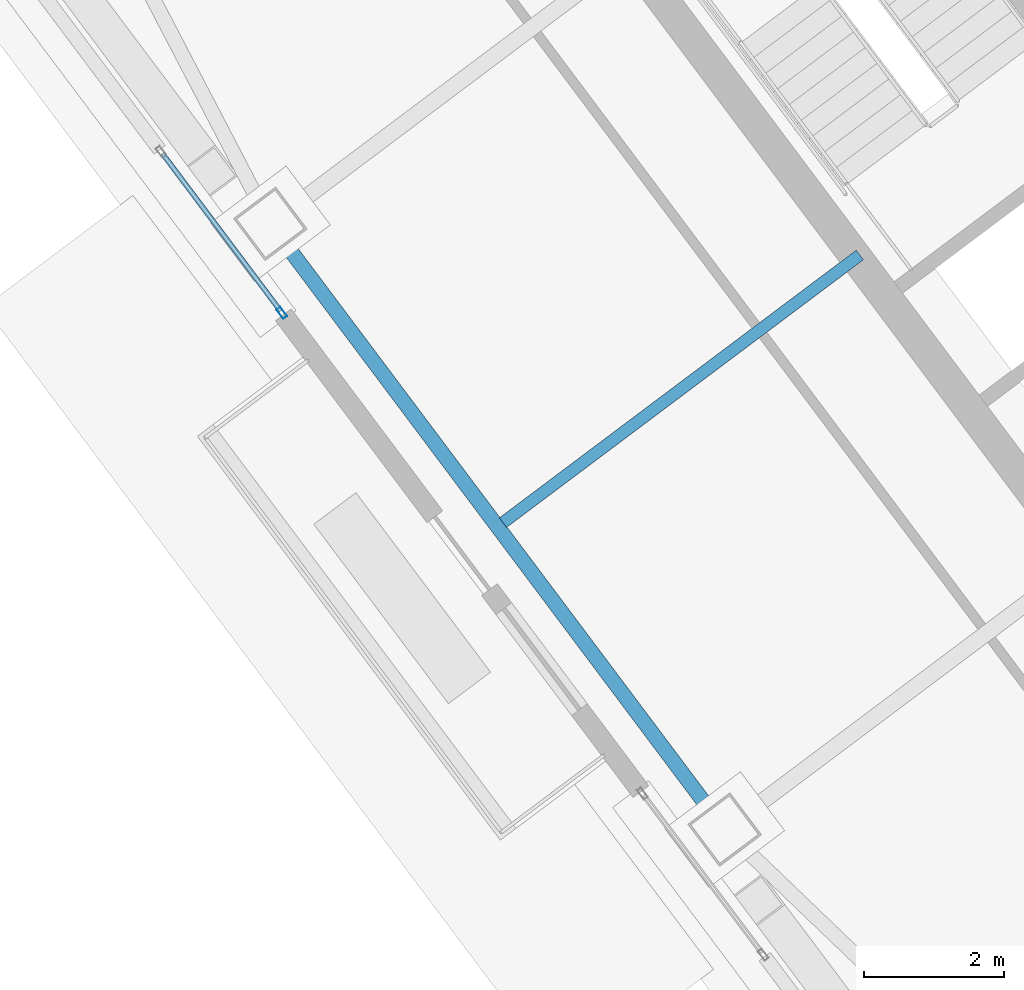
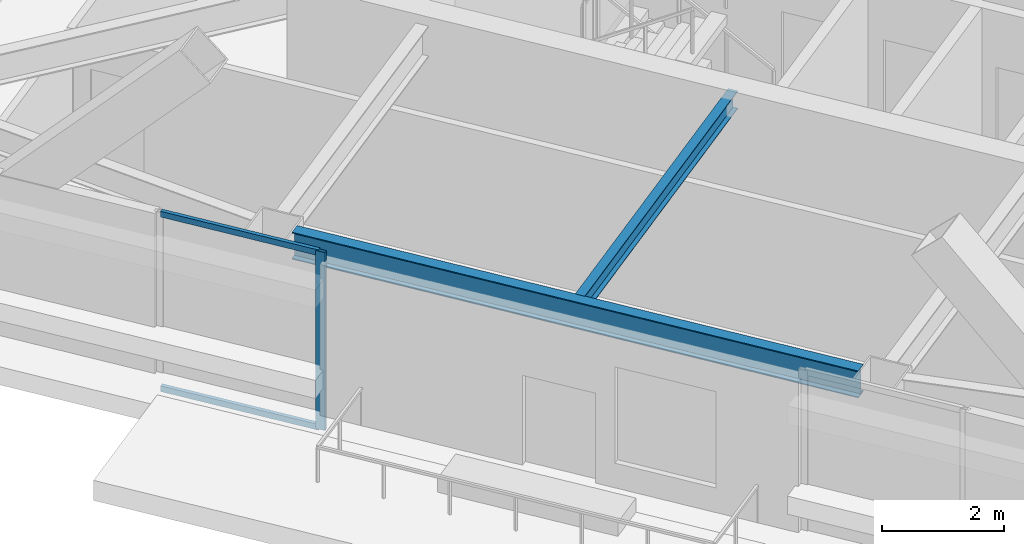
# One storey, part 16 of 39: 3 members, 2 beams, 1 element without a shape of its own.
"""IFC4 building model written with IfcOpenShell, lengths in metres."""

import ifcopenshell
import ifcopenshell.guid

model = None  # the IFC model being written
_history = None  # IfcOwnerHistory: only IFC2X3 demands one
_inside = {}  # id of a spatial element -> (the spatial element, [elements in it])
_under = {}  # id of a project, library or spatial element -> (it, [spatial elements below it])
_declared = {}  # id of a project -> (the project, [libraries it declares])
_typed = {}  # id of a type object -> (the type object, [elements of that type])
_made_of = {}  # id of a material, layer set ... -> (it, [elements and type objects made of it])


def new_model(schema):
    """Start an empty IFC model of exactly this schema.

    Asked for "IFC4X3", IfcOpenShell would pick the latest addendum, in which some entities
    have other attributes; the version numbers below select the first issue.
    IFC2X3 requires an IfcOwnerHistory on every rooted entity: one is made here for all.
    """
    global model, _history
    if schema == "IFC4X3":
        model = ifcopenshell.file(schema_version=(4, 3, 0, 0))
    else:
        model = ifcopenshell.file(schema=schema)
    _inside.clear()
    _under.clear()
    _declared.clear()
    _typed.clear()
    _made_of.clear()
    _history = None
    if model.schema == "IFC2X3":
        org = make("IfcOrganization", Name="unknown")
        user = make(
            "IfcPersonAndOrganization",
            ThePerson=make("IfcPerson", FamilyName="unknown"),
            TheOrganization=org,
        )
        app = make(
            "IfcApplication",
            ApplicationDeveloper=org,
            Version="unknown",
            ApplicationFullName="unknown",
            ApplicationIdentifier="unknown",
        )
        _history = make(
            "IfcOwnerHistory",
            OwningUser=user,
            OwningApplication=app,
            ChangeAction="ADDED",
            CreationDate=0,
        )
    return model


def make(cls, **values):
    """One entity of the class cls with the attributes given. An attribute that is None is left unset."""
    return model.create_entity(
        cls, **{name: value for name, value in values.items() if value is not None}
    )


def rooted(cls, **values):
    """An entity with a GlobalId (a new one), such as an element, a storey or a relation."""
    return make(cls, GlobalId=ifcopenshell.guid.new(), OwnerHistory=_history, **values)


def si_unit(unit_type, name, prefix=None):
    """IfcSIUnit, for example si_unit("LENGTHUNIT", "METRE", prefix="MILLI")."""
    return make("IfcSIUnit", UnitType=unit_type, Prefix=prefix, Name=name)


def assignment(units):
    """IfcUnitAssignment: the units of a project."""
    return None if units is None else make("IfcUnitAssignment", Units=units)


def point(xyz):
    """IfcCartesianPoint."""
    return None if xyz is None else make("IfcCartesianPoint", Coordinates=xyz)


def direction(xyz):
    """IfcDirection."""
    return None if xyz is None else make("IfcDirection", DirectionRatios=xyz)


def frame(location, z_axis=None, x_axis=None):
    """IfcAxis2Placement3D, a coordinate frame: its origin and axes. An axis left out is left unset."""
    return make(
        "IfcAxis2Placement3D",
        Location=point(location),
        Axis=direction(z_axis),
        RefDirection=direction(x_axis),
    )


def frame_2d(location, x_axis=None):
    """IfcAxis2Placement2D, a coordinate frame in the plane: its origin and x axis."""
    return make(
        "IfcAxis2Placement2D", Location=point(location), RefDirection=direction(x_axis)
    )


def origin():
    """The frame at (0, 0, 0) with its axes left unset."""
    return frame((0.0, 0.0, 0.0))


def origin_2d():
    """The frame at (0, 0) in the plane with its x axis left unset."""
    return frame_2d((0.0, 0.0))


def place(relative_to, where):
    """IfcLocalPlacement: puts the frame where relative to a parent placement (None: the world)."""
    return make(
        "IfcLocalPlacement", PlacementRelTo=relative_to, RelativePlacement=where
    )


def context(
    kind, dimensions, precision=None, world=None, true_north=None, identifier=None
):
    """IfcGeometricRepresentationContext, for example the 3D "Model" context."""
    return make(
        "IfcGeometricRepresentationContext",
        ContextIdentifier=identifier,
        ContextType=kind,
        CoordinateSpaceDimension=dimensions,
        Precision=precision,
        WorldCoordinateSystem=world,
        TrueNorth=true_north,
    )


def subcontext(parent, identifier, kind, view, scale=None):
    """IfcGeometricRepresentationSubContext, for example "Body" below "Model"."""
    return make(
        "IfcGeometricRepresentationSubContext",
        ContextIdentifier=identifier,
        ContextType=kind,
        ParentContext=parent,
        TargetScale=scale,
        TargetView=view,
    )


def project(units=None, contexts=None):
    """IfcProject with its units and contexts."""
    return rooted(
        "IfcProject",
        Name="project",
        RepresentationContexts=contexts,
        UnitsInContext=assignment(units),
    )


def spatial(cls, under=None, at=None, **own):
    """A site, building, storey or space (cls), placed at a placement, below another one or the project."""
    s = rooted(cls, ObjectPlacement=at, **own)
    if under is not None:
        _under.setdefault(under.id(), (under, []))[1].append(s)
    return s


def profile(cls, at=None, kind="AREA", **sizes):
    """A parametric profile (cls). Its sizes go by their IFC names, for example OverallWidth=200.0."""
    return make(cls, ProfileType=kind, Position=at, **sizes)


def hollow_rectangle(**sizes):
    """IfcRectangleHollowProfileDef."""
    return profile("IfcRectangleHollowProfileDef", **sizes)


def i_section(**sizes):
    """IfcIShapeProfileDef."""
    return profile("IfcIShapeProfileDef", **sizes)


def extrude(swept, where, along, depth):
    """IfcExtrudedAreaSolid: the profile swept, set in the frame where, extruded along a direction by depth."""
    return make(
        "IfcExtrudedAreaSolid",
        SweptArea=swept,
        Position=where,
        ExtrudedDirection=direction(along),
        Depth=depth,
    )


def shape(context_of_items, identifier, shape_type, items):
    """IfcShapeRepresentation: the items that make up one representation, for example the "Body"."""
    return make(
        "IfcShapeRepresentation",
        ContextOfItems=context_of_items,
        RepresentationIdentifier=identifier,
        RepresentationType=shape_type,
        Items=items,
    )


def material(Name=None, Category=None):
    """IfcMaterial."""
    return make("IfcMaterial", Name=Name, Category=Category)


def material_profile(
    of_material, cross_section, Name=None, Category=None, Priority=None
):
    """IfcMaterialProfile: a cross section and its material."""
    return make(
        "IfcMaterialProfile",
        Name=Name,
        Material=of_material,
        Profile=cross_section,
        Priority=Priority,
        Category=Category,
    )


def profile_set(profiles, Name=None, composite=None):
    """IfcMaterialProfileSet."""
    return make(
        "IfcMaterialProfileSet",
        Name=Name,
        MaterialProfiles=profiles,
        CompositeProfile=composite,
    )


def made_of(thing, what):
    """Note that an element or type object is made of a material, layer set ...; save() writes the relation."""
    if what is not None:
        _made_of.setdefault(what.id(), (what, []))[1].append(thing)
    return thing


def type_object(cls, material=None, **own):
    """A type object (cls), such as IfcWallType, which elements share."""
    return made_of(rooted(cls, **own), material)


def element(
    cls,
    number,
    at=None,
    inside=None,
    cuts=None,
    type_object=None,
    material=None,
    context=None,
    identifier="Body",
    shape_type=None,
    held_by="IfcProductDefinitionShape",
    body=None,
    shapes=None,
    **own,
):
    """One element of the class cls, such as IfcWall. Its Tag is "e" and its number.

    at: its placement. inside: the storey or other place that contains it. cuts: it is an
    opening in that element (IfcRelVoidsElement). A single representation is given by context,
    identifier, shape_type and body (its items); several are given by shapes. held_by: the class
    of the entity that holds the representations. save() writes the other relations.
    """
    e = rooted(cls, Tag="e%d" % number, ObjectPlacement=at, **own)
    if body is not None:
        shapes = [shape(context, identifier, shape_type, body)]
    if shapes is not None:
        e.Representation = make(held_by, Representations=shapes)
    if inside is not None:
        _inside.setdefault(inside.id(), (inside, []))[1].append(e)
    if cuts is not None:
        rooted(
            "IfcRelVoidsElement", RelatingBuildingElement=cuts, RelatedOpeningElement=e
        )
    if type_object is not None:
        _typed.setdefault(type_object.id(), (type_object, []))[1].append(e)
    return made_of(e, material)


def aggregate(whole, parts):
    """IfcRelAggregates: a whole, such as a stair, and the parts it consists of."""
    return rooted("IfcRelAggregates", RelatingObject=whole, RelatedObjects=parts)


def save(model, path):
    """Write the relations noted so far, then the file.

    IfcRelAggregates (storeys below a building ...), IfcRelContainedInSpatialStructure (elements
    in a storey), IfcRelDefinesByType, IfcRelAssociatesMaterial and IfcRelDeclares: one each for
    every whole, place, type object, material and project.
    """
    for whole, parts in _under.values():
        aggregate(whole, parts)
    for where, things in _inside.values():
        rooted(
            "IfcRelContainedInSpatialStructure",
            RelatedElements=things,
            RelatingStructure=where,
        )
    for kind, things in _typed.values():
        rooted("IfcRelDefinesByType", RelatedObjects=things, RelatingType=kind)
    for what, things in _made_of.values():
        rooted("IfcRelAssociatesMaterial", RelatedObjects=things, RelatingMaterial=what)
    for by, libraries in _declared.values():
        rooted("IfcRelDeclares", RelatingContext=by, RelatedDefinitions=libraries)
    model.write(path)


model = new_model("IFC4")

# Units and contexts
model_context = context("Model", 3, precision=1e-05, world=origin(), true_north=direction((0.0, 1.0)))
body_context = subcontext(model_context, "Body", "Model", "MODEL_VIEW")
ifc_project = project(units=[si_unit("LENGTHUNIT", "METRE"), si_unit("AREAUNIT", "SQUARE_METRE"), si_unit("VOLUMEUNIT", "CUBIC_METRE"), si_unit("PLANEANGLEUNIT", "RADIAN"), si_unit("MASSUNIT", "GRAM", prefix="KILO")], contexts=[model_context])

# Site, building, storey
site_placement = place(None, origin())
site = spatial("IfcSite", under=ifc_project, at=site_placement, CompositionType="ELEMENT")
building_placement = place(site_placement, origin())
building = spatial("IfcBuilding", under=site, at=building_placement, Name="Tashvorn Skyway Center", CompositionType="ELEMENT")
storey_placement = place(building_placement, frame((0.0, 0.0, 232.60009765625)))
storey = spatial("IfcBuildingStorey", under=building, at=storey_placement, Name="L63", CompositionType="ELEMENT", Elevation=232.60009765625)

# Beams
ifc_material_1 = material(Name="Steel ASTM A992 Grade 50", Category="steel")
ifc_material_profile_1 = material_profile(ifc_material_1, i_section(OverallWidth=0.1708984375, OverallDepth=0.35498046875, WebThickness=0.007080078125, FlangeThickness=0.01171875, at=origin_2d()), Name="W14X34")
ifc_profile_set_1 = profile_set([ifc_material_profile_1], Name="Steel ASTM A992 Grade 50")
beam_type_1 = type_object("IfcBeamType", Name="BM-JOIST-W14X34", PredefinedType="JOIST", material=ifc_profile_set_1)
beam_1_placement = place(storey_placement, frame((107.76806640625, 27.325927734375, 3.1923828125), z_axis=(-0.800013813639, -0.599981581373, 0.0), x_axis=(0.599981581373, -0.800013813639, 0.0)))
element("IfcBeam", 1, at=beam_1_placement, inside=storey, type_object=beam_type_1, Name="Tower 2 L63 Secondary Composite Joist JW", PredefinedType="JOIST", context=body_context, shape_type="SweptSolid", body=[
    extrude(i_section(OverallWidth=0.1708984375, OverallDepth=0.35498046875, WebThickness=0.007080078125, FlangeThickness=0.01171875, at=origin_2d()), origin(), (0.0, 0.0, 1.0), 6.362548828125),
])
ifc_material_profile_2 = material_profile(ifc_material_1, i_section(OverallWidth=0.2109375, OverallDepth=0.5390625, WebThickness=0.01171875, FlangeThickness=0.018798828125, at=origin_2d()), Name="W21X73")
ifc_profile_set_2 = profile_set([ifc_material_profile_2], Name="Steel ASTM A992 Grade 50")
beam_type_2 = type_object("IfcBeamType", Name="BM-SPANDREL-W21X73", PredefinedType="SPANDREL", material=ifc_profile_set_2)
beam_2_placement = place(storey_placement, frame((99.58203125, 27.47412109375, 3.100341796875), z_axis=(0.599988351091, -0.800008736549, 0.0), x_axis=(0.800008736549, 0.599988351091, 0.0)))
element("IfcBeam", 2, at=beam_2_placement, inside=storey, type_object=beam_type_2, Name="Tower 2 L63 Spandrel Beam 11", PredefinedType="SPANDREL", context=body_context, shape_type="SweptSolid", body=[
    extrude(i_section(OverallWidth=0.2109375, OverallDepth=0.5390625, WebThickness=0.01171875, FlangeThickness=0.018798828125, at=origin_2d()), origin(), (0.0, 0.0, 1.0), 10.06005859375),
])

# Curtain wall, members
ifc_material_2 = material(Name="Thermally broken bronze-anodized aluminium 6063-T6", Category="aluminium")
curtain_wall_type = type_object("IfcCurtainWallType", Name="CW-CW-Z5", PredefinedType="NOTDEFINED", material=ifc_material_2)
curtain_wall_placement = place(storey_placement, origin())
curtain_wall = element("IfcCurtainWall", 3, at=curtain_wall_placement, inside=storey, type_object=curtain_wall_type, Name="Tower 2 L63 West Curtain Wall R Glazing Group 1", PredefinedType="NOTDEFINED")
ifc_material_profile_3 = material_profile(ifc_material_2, hollow_rectangle(XDim=0.070068359375, YDim=0.1650390625, WallThickness=0.00390625, at=origin_2d()), Name="ALU-MULL-70x165")
ifc_profile_set_3 = profile_set([ifc_material_profile_3], Name="Thermally broken bronze-anodized aluminium 6063-T6")
member_type_1 = type_object("IfcMemberType", Name="CWM-CW-Z5", PredefinedType="MULLION", material=ifc_profile_set_3)
member_1_placement = place(storey_placement, frame((99.52490234375, 26.5, 0.0), z_axis=(0.0, 0.0, 1.0), x_axis=(-0.80000407695, -0.599994564028, 0.0)))
member_1 = element("IfcMember", 4, at=member_1_placement, type_object=member_type_1, Name="CW-Z5 mullion 1", PredefinedType="MULLION", context=body_context, shape_type="SweptSolid", body=[
    extrude(hollow_rectangle(XDim=0.070068359375, YDim=0.1650390625, WallThickness=0.00390625, at=origin_2d()), origin(), (0.0, 0.0, 1.0), 3.5498046875),
])
ifc_material_profile_4 = material_profile(ifc_material_2, hollow_rectangle(XDim=0.070068359375, YDim=0.114990234375, WallThickness=0.00390625, at=origin_2d()), Name="ALU-TRAN-70x115")
ifc_profile_set_4 = profile_set([ifc_material_profile_4], Name="Thermally broken bronze-anodized aluminium 6063-T6")
member_type_2 = type_object("IfcMemberType", Name="CWT-CW-Z5", PredefinedType="USERDEFINED", material=ifc_profile_set_4)
member_2_placement = place(storey_placement, frame((99.50390625, 26.528076171875, 0.034912109375), z_axis=(-0.599972130412, 0.800020901432, 0.0), x_axis=(-0.800020901432, -0.599972130412, 0.0)))
member_2 = element("IfcMember", 5, at=member_2_placement, type_object=member_type_2, Name="CW-Z5 transom 1.1", ObjectType="TRANSOM", PredefinedType="USERDEFINED", context=body_context, shape_type="SweptSolid", body=[
    extrude(hollow_rectangle(XDim=0.070068359375, YDim=0.114990234375, WallThickness=0.00390625, at=origin_2d()), origin(), (0.0, 0.0, 1.0), 2.80322265625),
])
member_3_placement = place(storey_placement, frame((99.50390625, 26.528076171875, 3.514892578125), z_axis=(-0.599972130412, 0.800020901432, 0.0), x_axis=(-0.800020901432, -0.599972130412, 0.0)))
member_3 = element("IfcMember", 6, at=member_3_placement, type_object=member_type_2, Name="CW-Z5 transom 1.2", ObjectType="TRANSOM", PredefinedType="USERDEFINED", context=body_context, shape_type="SweptSolid", body=[
    extrude(hollow_rectangle(XDim=0.070068359375, YDim=0.114990234375, WallThickness=0.00390625, at=origin_2d()), origin(), (0.0, 0.0, 1.0), 2.80322265625),
])
aggregate(curtain_wall, [member_1, member_2, member_3])

save(model, "model.ifc")
